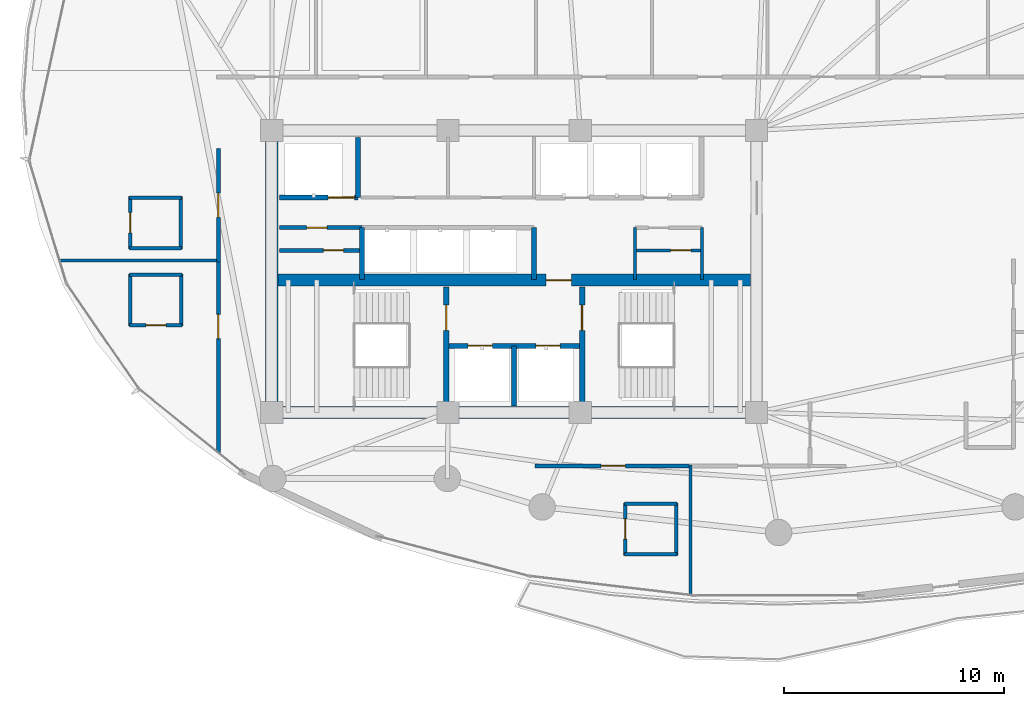
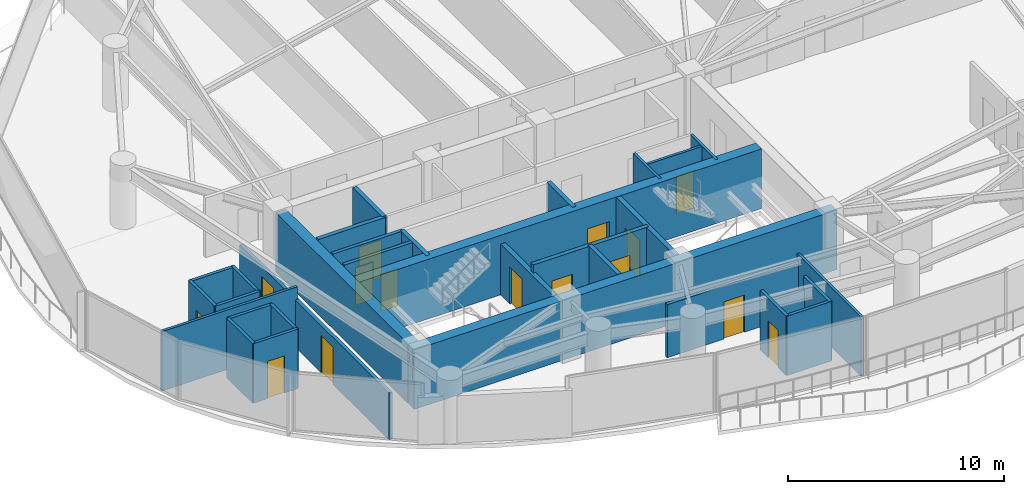
# One storey, part 26 of 34: 33 walls, 15 doors, 15 openings.
"""IFC4 building model written with IfcOpenShell, lengths in metres."""

from ifc_helpers import new_model, si_unit, direction, frame, frame_2d, origin, place, context, subcontext, project, spatial, rectangle, extrude, material, layer, layer_set, type_object, element, fill, save


model = new_model("IFC4")

# Units and contexts
model_context = context("Model", 3, precision=1e-05, world=origin(), true_north=direction((0.0, 1.0)))
body_context = subcontext(model_context, "Body", "Model", "MODEL_VIEW")
ifc_project = project(units=[si_unit("LENGTHUNIT", "METRE"), si_unit("AREAUNIT", "SQUARE_METRE"), si_unit("VOLUMEUNIT", "CUBIC_METRE"), si_unit("PLANEANGLEUNIT", "RADIAN"), si_unit("MASSUNIT", "GRAM", prefix="KILO")], contexts=[model_context])

# Site, building, storey
site_placement = place(None, origin())
site = spatial("IfcSite", under=ifc_project, at=site_placement, CompositionType="ELEMENT")
building_placement = place(site_placement, origin())
building = spatial("IfcBuilding", under=site, at=building_placement, Name="Kazevale Care Tower and Concert Hall", CompositionType="ELEMENT")
storey_placement = place(building_placement, frame((0.0, 0.0, 156.60009765625)))
storey = spatial("IfcBuildingStorey", under=building, at=storey_placement, Name="L41", CompositionType="ELEMENT", Elevation=156.60009765625)

# Walls
ifc_material_1 = material(Name="Acoustic Gypsum on Steel Stud", Category="steel")
ifc_layer_1 = layer(ifc_material_1, 0.139892578125)
ifc_layer_set_1 = layer_set([ifc_layer_1], Name="Acoustic Gypsum on Steel Stud")
wall_type_1 = type_object("IfcWallType", Name="Acoustic Care & Suite Partition 140", PredefinedType="PARTITIONING", material=ifc_layer_set_1)
for number, where, z_axis, x_axis, name in (
    (1, (38.47998046875, 29.6201171875, 0.0), (0.0, 0.0, 1.0), (0.0, 1.0, 0.0), "wall:L41:kc_ew"),
    (2, (41.52001953125, 29.6201171875, 0.0), (0.0, 0.0, 1.0), (0.0, 1.0, 0.0), "wall:L41:kc_ee"),
):
    element("IfcWall", number, at=place(storey_placement, frame(where, z_axis=z_axis, x_axis=x_axis)), inside=storey, type_object=wall_type_1, Name=name, PredefinedType="PARTITIONING", context=body_context, shape_type="SweptSolid", body=[
        extrude(rectangle(XDim=2.35986328125, YDim=0.139892578125, at=frame_2d((1.179931640625, 0.0))), origin(), (0.0, 0.0, 1.0), 3.35986328125),
    ])

# Wall, opening, door
wall_1_placement = place(storey_placement, frame((38.47998046875, 30.949951171875, 0.0), z_axis=(0.0, 0.0, 1.0), x_axis=(1.0, 0.0, 0.0)))
wall_1 = element("IfcWall", 3, at=wall_1_placement, inside=storey, type_object=wall_type_1, Name="wall:L41:kc_em", PredefinedType="PARTITIONING", context=body_context, shape_type="SweptSolid", body=[
    extrude(rectangle(XDim=3.0400390625, YDim=0.139892578125, at=frame_2d((1.52001953125, 0.0))), origin(), (0.0, 0.0, 1.0), 3.35986328125),
])
opening_1_placement = place(wall_1_placement, frame((1.616943359375, 0.0, 0.0)))
opening_1 = element("IfcOpeningElement", 4, at=opening_1_placement, cuts=wall_1, Name="Opening ID-900", PredefinedType="OPENING", context=body_context, shape_type="SweptSolid", body=[
    extrude(rectangle(XDim=0.919921875, YDim=2.10009765625, at=frame_2d((0.4599609375, 1.050048828125))), frame((0.0, 0.079833984375, 0.0), z_axis=(0.0, -1.0, 0.0), x_axis=(1.0, 0.0, 0.0)), (0.0, 0.0, 1.0), 0.159912109375),
])
ifc_material_2 = material(Name="Oak Timber Fire Leaf", Category="wood")
door_type_1 = type_object("IfcDoorType", Name="Bathroom & Service Door 920x2100", OperationType="NOTDEFINED", PredefinedType="DOOR", material=ifc_material_2)
door_1_placement = place(opening_1_placement, origin())
door_1 = element("IfcDoor", 5, at=door_1_placement, inside=storey, type_object=door_type_1, Name="door:L41:d_kceb", OperationType="SINGLE_SWING_RIGHT", OverallHeight=2.10009765625, OverallWidth=0.919921875, PredefinedType="DOOR", context=body_context, shape_type="SweptSolid", body=[
    extrude(rectangle(XDim=0.919921875, YDim=2.10009765625, at=frame_2d((0.4599609375, 1.050048828125))), frame((0.0, 0.02490234375, 0.0), z_axis=(0.0, -1.0, 0.0), x_axis=(1.0, 0.0, 0.0)), (0.0, 0.0, 1.0), 0.050048828125),
])
fill(opening_1, door_1)

# Walls
wall_2_placement = place(storey_placement, frame((41.0, 21.205078125, 0.0), z_axis=(0.0, 0.0, 1.0), x_axis=(0.0, -1.0, 0.0)))
element("IfcWall", 6, at=wall_2_placement, inside=storey, type_object=wall_type_1, Name="wall:L41:auto_029", PredefinedType="PARTITIONING", context=body_context, shape_type="SweptSolid", body=[
    extrude(rectangle(XDim=5.88720703125, YDim=0.139892578125, at=frame_2d((2.943603515625, 0.0))), origin(), (0.0, 0.0, 1.0), 3.35986328125),
])
wall_3_placement = place(storey_placement, frame((12.380859375, 30.5, 0.0), z_axis=(0.0, 0.0, 1.0), x_axis=(1.0, 0.0, 0.0)))
element("IfcWall", 7, at=wall_3_placement, inside=storey, type_object=wall_type_1, Name="wall:L41:auto_030", PredefinedType="PARTITIONING", context=body_context, shape_type="SweptSolid", body=[
    extrude(rectangle(XDim=7.22412109375, YDim=0.139892578125, at=frame_2d((3.612060546875, 0.0))), origin(), (0.0, 0.0, 1.0), 3.35986328125),
])
ifc_material_3 = material(Name="Concrete C60", Category="concrete")
ifc_layer_2 = layer(ifc_material_3, 0.550048828125)
ifc_layer_set_2 = layer_set([ifc_layer_2], Name="Concrete C60")
wall_type_2 = type_object("IfcWallType", Name="Core Shear Wall 550 C60", PredefinedType="SHEAR", material=ifc_layer_set_2)
wall_4_placement = place(storey_placement, frame((21.72509765625, 23.60009765625, 0.0), z_axis=(0.0, 0.0, 1.0), x_axis=(1.0, 0.0, 0.0)))
element("IfcWall", 8, at=wall_4_placement, inside=storey, type_object=wall_type_2, Name="wall:L41:core:S", PredefinedType="SHEAR", context=body_context, shape_type="SweptSolid", body=[
    extrude(rectangle(XDim=22.5498046875, YDim=0.550048828125, at=frame_2d((11.27490234375, 0.0))), origin(), (0.0, 0.0, 1.0), 3.35986328125),
])
wall_5_placement = place(storey_placement, frame((22.0, 23.875, 0.0), z_axis=(0.0, 0.0, 1.0), x_axis=(0.0, 1.0, 0.0)))
element("IfcWall", 9, at=wall_5_placement, inside=storey, type_object=wall_type_2, Name="wall:L41:core:W", PredefinedType="SHEAR", context=body_context, shape_type="SweptSolid", body=[
    extrude(rectangle(XDim=12.25, YDim=0.550048828125, at=frame_2d((6.125, 0.0))), origin(), (0.0, 0.0, 1.0), 3.35986328125),
])

# Wall, opening, door
wall_6_placement = place(storey_placement, frame((22.27490234375, 29.60009765625, 0.0), z_axis=(0.0, 0.0, 1.0), x_axis=(1.0, 0.0, 0.0)))
wall_6 = element("IfcWall", 10, at=wall_6_placement, inside=storey, type_object=wall_type_2, Name="wall:L41:core:M", PredefinedType="SHEAR", context=body_context, shape_type="SweptSolid", body=[
    extrude(rectangle(XDim=21.4501953125, YDim=0.550048828125, at=frame_2d((10.72509765625, 0.0))), origin(), (0.0, 0.0, 1.0), 3.35986328125),
])
opening_2_placement = place(wall_6_placement, frame((12.175048828125, 0.0, 0.0)))
opening_2 = element("IfcOpeningElement", 11, at=opening_2_placement, cuts=wall_6, Name="Opening FD-90", PredefinedType="OPENING", context=body_context, shape_type="SweptSolid", body=[
    extrude(rectangle(XDim=1.14990234375, YDim=2.10009765625, at=frame_2d((0.574951171875, 1.050048828125))), frame((0.0, 0.284912109375, 0.0), z_axis=(0.0, -1.0, 0.0), x_axis=(1.0, 0.0, 0.0)), (0.0, 0.0, 1.0), 0.570068359375),
])
ifc_material_4 = material(Name="Steel ASTM A572 Gr 50", Category="steel")
door_type_2 = type_object("IfcDoorType", Name="Pressurized Stair & Lobby Fire Door 1150x2100", OperationType="NOTDEFINED", PredefinedType="DOOR", material=ifc_material_4)
door_2_placement = place(opening_2_placement, origin())
door_2 = element("IfcDoor", 12, at=door_2_placement, inside=storey, type_object=door_type_2, Name="door:L41:ff_to_pax", OperationType="SINGLE_SWING_LEFT", OverallHeight=2.10009765625, OverallWidth=1.14990234375, PredefinedType="DOOR", context=body_context, shape_type="SweptSolid", body=[
    extrude(rectangle(XDim=1.14990234375, YDim=2.10009765625, at=frame_2d((0.574951171875, 1.050048828125))), frame((0.0, 0.02490234375, 0.0), z_axis=(0.0, -1.0, 0.0), x_axis=(1.0, 0.0, 0.0)), (0.0, 0.0, 1.0), 0.050048828125),
])
fill(opening_2, door_2)

# Wall, openings, doors
ifc_material_5 = material(Name="Concrete C40", Category="concrete")
ifc_layer_3 = layer(ifc_material_5, 0.219970703125)
ifc_layer_set_3 = layer_set([ifc_layer_3], Name="Concrete C40")
wall_type_3 = type_object("IfcWallType", Name="Elevator Hoistway Shaft Wall 220", PredefinedType="SOLIDWALL", material=ifc_layer_set_3)
wall_7_placement = place(storey_placement, frame((29.919921875, 26.6201171875, 0.0), z_axis=(0.0, 0.0, 1.0), x_axis=(1.0, 0.0, 0.0)))
wall_7 = element("IfcWall", 13, at=wall_7_placement, inside=storey, type_object=wall_type_3, Name="wall:L41:c_ffl_n", PredefinedType="SOLIDWALL", context=body_context, shape_type="SweptSolid", body=[
    extrude(rectangle(XDim=6.16015625, YDim=0.219970703125, at=frame_2d((3.080078125, 0.0))), origin(), (0.0, 0.0, 1.0), 3.35986328125),
])
opening_3_placement = place(wall_7_placement, frame((0.989990234375, 0.0, 0.0)))
opening_3 = element("IfcOpeningElement", 14, at=opening_3_placement, cuts=wall_7, Name="Opening LD-FF", PredefinedType="OPENING", context=body_context, shape_type="SweptSolid", body=[
    extrude(rectangle(XDim=1.10009765625, YDim=2.10009765625, at=frame_2d((0.550048828125, 1.050048828125))), frame((0.0, 0.119873046875, 0.0), z_axis=(0.0, -1.0, 0.0), x_axis=(1.0, 0.0, 0.0)), (0.0, 0.0, 1.0), 0.239990234375),
])
opening_4_placement = place(wall_7_placement, frame((4.070068359375, 0.0, 0.0)))
opening_4 = element("IfcOpeningElement", 15, at=opening_4_placement, cuts=wall_7, Name="Opening LD-FF", PredefinedType="OPENING", context=body_context, shape_type="SweptSolid", body=[
    extrude(rectangle(XDim=1.10009765625, YDim=2.10009765625, at=frame_2d((0.550048828125, 1.050048828125))), frame((0.0, 0.119873046875, 0.0), z_axis=(0.0, -1.0, 0.0), x_axis=(1.0, 0.0, 0.0)), (0.0, 0.0, 1.0), 0.239990234375),
])
ifc_material_6 = material(Name="Stainless Steel 316", Category="steel")
door_type_3 = type_object("IfcDoorType", Name="Emergency Lift Sliding Landing Door 1100x2100", OperationType="NOTDEFINED", PredefinedType="DOOR", material=ifc_material_6)
door_3_placement = place(opening_3_placement, origin())
door_3 = element("IfcDoor", 16, at=door_3_placement, inside=storey, type_object=door_type_3, Name="door:L41:ld_ffl1", OperationType="SLIDING_TO_LEFT", OverallHeight=2.10009765625, OverallWidth=1.10009765625, PredefinedType="DOOR", context=body_context, shape_type="SweptSolid", body=[
    extrude(rectangle(XDim=1.10009765625, YDim=2.10009765625, at=frame_2d((0.550048828125, 1.050048828125))), frame((0.0, 0.02490234375, 0.0), z_axis=(0.0, -1.0, 0.0), x_axis=(1.0, 0.0, 0.0)), (0.0, 0.0, 1.0), 0.050048828125),
])
fill(opening_3, door_3)
door_4_placement = place(opening_4_placement, origin())
door_4 = element("IfcDoor", 17, at=door_4_placement, inside=storey, type_object=door_type_3, Name="door:L41:ld_ffl2", OperationType="SLIDING_TO_RIGHT", OverallHeight=2.10009765625, OverallWidth=1.10009765625, PredefinedType="DOOR", context=body_context, shape_type="SweptSolid", body=[
    extrude(rectangle(XDim=1.10009765625, YDim=2.10009765625, at=frame_2d((0.550048828125, 1.050048828125))), frame((0.0, 0.02490234375, 0.0), z_axis=(0.0, -1.0, 0.0), x_axis=(1.0, 0.0, 0.0)), (0.0, 0.0, 1.0), 0.050048828125),
])
fill(opening_4, door_4)

# Walls
wall_8_placement = place(storey_placement, frame((33.0, 23.89990234375, 0.0), z_axis=(0.0, 0.0, 1.0), x_axis=(0.0, 1.0, 0.0)))
element("IfcWall", 18, at=wall_8_placement, inside=storey, type_object=wall_type_3, Name="wall:L41:c_ffl_m", PredefinedType="SOLIDWALL", context=body_context, shape_type="SweptSolid", body=[
    extrude(rectangle(XDim=2.72021484375, YDim=0.219970703125, at=frame_2d((1.360107421875, 0.0))), origin(), (0.0, 0.0, 1.0), 3.35986328125),
])
wall_9_placement = place(storey_placement, frame((25.919921875, 33.35009765625, 0.0), z_axis=(0.0, 0.0, 1.0), x_axis=(0.0, 1.0, 0.0)))
element("IfcWall", 19, at=wall_9_placement, inside=storey, type_object=wall_type_3, Name="wall:L41:c_svl_e", PredefinedType="SOLIDWALL", context=body_context, shape_type="SweptSolid", body=[
    extrude(rectangle(XDim=2.72998046875, YDim=0.219970703125, at=frame_2d((1.364990234375, 0.0))), origin(), (0.0, 0.0, 1.0), 3.35986328125),
])

# Wall, opening, door
wall_10_placement = place(storey_placement, frame((22.35009765625, 33.35009765625, 0.0), z_axis=(0.0, 0.0, 1.0), x_axis=(1.0, 0.0, 0.0)))
wall_10 = element("IfcWall", 20, at=wall_10_placement, inside=storey, type_object=wall_type_3, Name="wall:L41:c_svl_s", PredefinedType="SOLIDWALL", context=body_context, shape_type="SweptSolid", body=[
    extrude(rectangle(XDim=3.56982421875, YDim=0.219970703125, at=frame_2d((1.784912109375, 0.0))), origin(), (0.0, 0.0, 1.0), 3.35986328125),
])
opening_5_placement = place(wall_10_placement, frame((2.212890625, 0.0, 0.0)))
opening_5 = element("IfcOpeningElement", 21, at=opening_5_placement, cuts=wall_10, Name="Opening LD-SV", PredefinedType="OPENING", context=body_context, shape_type="SweptSolid", body=[
    extrude(rectangle(XDim=1.199951171875, YDim=2.10009765625, at=frame_2d((0.60009765625, 1.050048828125))), frame((0.0, 0.119873046875, 0.0), z_axis=(0.0, -1.0, 0.0), x_axis=(1.0, 0.0, 0.0)), (0.0, 0.0, 1.0), 0.239990234375),
])
door_type_4 = type_object("IfcDoorType", Name="Service Lift Sliding Landing Door 1200x2100", OperationType="NOTDEFINED", PredefinedType="DOOR", material=ifc_material_6)
door_5_placement = place(opening_5_placement, origin())
door_5 = element("IfcDoor", 22, at=door_5_placement, inside=storey, type_object=door_type_4, Name="door:L41:ld_svl1", OperationType="SLIDING_TO_LEFT", OverallHeight=2.10009765625, OverallWidth=1.199951171875, PredefinedType="DOOR", context=body_context, shape_type="SweptSolid", body=[
    extrude(rectangle(XDim=1.199951171875, YDim=2.10009765625, at=frame_2d((0.60009765625, 1.050048828125))), frame((0.0, 0.02490234375, 0.0), z_axis=(0.0, -1.0, 0.0), x_axis=(1.0, 0.0, 0.0)), (0.0, 0.0, 1.0), 0.050048828125),
])
fill(opening_5, door_5)

# Walls
for number, where, z_axis, x_axis, name in (
    (23, (26.10009765625, 29.6201171875, 0.0), (0.0, 0.0, 1.0), (0.0, 1.0, 0.0), "wall:L41:c_ph_w"),
    (24, (33.89990234375, 29.6201171875, 0.0), (0.0, 0.0, 1.0), (0.0, 1.0, 0.0), "wall:L41:c_ph_e"),
):
    element("IfcWall", number, at=place(storey_placement, frame(where, z_axis=z_axis, x_axis=x_axis)), inside=storey, type_object=wall_type_3, Name=name, PredefinedType="SOLIDWALL", context=body_context, shape_type="SweptSolid", body=[
        extrude(rectangle(XDim=2.35986328125, YDim=0.219970703125, at=frame_2d((1.179931640625, 0.0))), origin(), (0.0, 0.0, 1.0), 3.35986328125),
    ])

# Wall, opening, door
ifc_material_7 = material(Name="Concrete C40 and Acoustic Gypsum", Category="concrete")
ifc_layer_4 = layer(ifc_material_7, 0.179931640625)
ifc_layer_set_4 = layer_set([ifc_layer_4], Name="Concrete C40 and Acoustic Gypsum")
wall_type_4 = type_object("IfcWallType", Name="Fire-Rated Corridor & Party Wall 180", PredefinedType="PARTITIONING", material=ifc_layer_set_4)
wall_11_placement = place(storey_placement, frame((22.35009765625, 30.949951171875, 0.0), z_axis=(0.0, 0.0, 1.0), x_axis=(1.0, 0.0, 0.0)))
wall_11 = element("IfcWall", 25, at=wall_11_placement, inside=storey, type_object=wall_type_4, Name="wall:L41:kc_wm", PredefinedType="PARTITIONING", context=body_context, shape_type="SweptSolid", body=[
    extrude(rectangle(XDim=3.75, YDim=0.179931640625, at=frame_2d((1.875, 0.0))), origin(), (0.0, 0.0, 1.0), 3.35986328125),
])
opening_6_placement = place(wall_11_placement, frame((1.988037109375, 0.0, 0.0)))
opening_6 = element("IfcOpeningElement", 26, at=opening_6_placement, cuts=wall_11, Name="Opening ID-900", PredefinedType="OPENING", context=body_context, shape_type="SweptSolid", body=[
    extrude(rectangle(XDim=0.919921875, YDim=2.10009765625, at=frame_2d((0.4599609375, 1.050048828125))), frame((0.0, 0.099853515625, 0.0), z_axis=(0.0, -1.0, 0.0), x_axis=(1.0, 0.0, 0.0)), (0.0, 0.0, 1.0), 0.199951171875),
])
door_6_placement = place(opening_6_placement, origin())
door_6 = element("IfcDoor", 27, at=door_6_placement, inside=storey, type_object=door_type_1, Name="door:L41:d_kcwb", OperationType="SINGLE_SWING_RIGHT", OverallHeight=2.10009765625, OverallWidth=0.919921875, PredefinedType="DOOR", context=body_context, shape_type="SweptSolid", body=[
    extrude(rectangle(XDim=0.919921875, YDim=2.10009765625, at=frame_2d((0.4599609375, 1.050048828125))), frame((0.0, 0.02490234375, 0.0), z_axis=(0.0, -1.0, 0.0), x_axis=(1.0, 0.0, 0.0)), (0.0, 0.0, 1.0), 0.050048828125),
])
fill(opening_6, door_6)

wall_12_placement = place(storey_placement, frame((22.35009765625, 31.97998046875, 0.0), z_axis=(0.0, 0.0, 1.0), x_axis=(1.0, 0.0, 0.0)))
wall_12 = element("IfcWall", 28, at=wall_12_placement, inside=storey, type_object=wall_type_4, Name="wall:L41:kc_wn", PredefinedType="PARTITIONING", context=body_context, shape_type="SweptSolid", body=[
    extrude(rectangle(XDim=3.75, YDim=0.179931640625, at=frame_2d((1.875, 0.0))), origin(), (0.0, 0.0, 1.0), 3.35986328125),
])
opening_7_placement = place(wall_12_placement, frame((1.238037109375, 0.0, 0.0)))
opening_7 = element("IfcOpeningElement", 29, at=opening_7_placement, cuts=wall_12, Name="Opening ID-900", PredefinedType="OPENING", context=body_context, shape_type="SweptSolid", body=[
    extrude(rectangle(XDim=0.919921875, YDim=2.10009765625, at=frame_2d((0.4599609375, 1.050048828125))), frame((0.0, 0.099853515625, 0.0), z_axis=(0.0, -1.0, 0.0), x_axis=(1.0, 0.0, 0.0)), (0.0, 0.0, 1.0), 0.199951171875),
])
door_7_placement = place(opening_7_placement, origin())
door_7 = element("IfcDoor", 30, at=door_7_placement, inside=storey, type_object=door_type_1, Name="door:L41:d_kcwt", OperationType="SINGLE_SWING_LEFT", OverallHeight=2.10009765625, OverallWidth=0.919921875, PredefinedType="DOOR", context=body_context, shape_type="SweptSolid", body=[
    extrude(rectangle(XDim=0.919921875, YDim=2.10009765625, at=frame_2d((0.4599609375, 1.050048828125))), frame((0.0, 0.02490234375, 0.0), z_axis=(0.0, -1.0, 0.0), x_axis=(1.0, 0.0, 0.0)), (0.0, 0.0, 1.0), 0.050048828125),
])
fill(opening_7, door_7)

wall_13_placement = place(storey_placement, frame((41.06494140625, 21.175048828125, 0.0), z_axis=(0.0, 0.0, 1.0), x_axis=(-1.0, 0.0, 0.0)))
wall_13 = element("IfcWall", 31, at=wall_13_placement, inside=storey, type_object=wall_type_4, Name="wall:L41:auto_015", PredefinedType="PARTITIONING", context=body_context, shape_type="SweptSolid", body=[
    extrude(rectangle(XDim=7.1298828125, YDim=0.179931640625, at=frame_2d((3.56494140625, 0.0))), origin(), (0.0, 0.0, 1.0), 2.995849609375),
])
opening_8_placement = place(wall_13_placement, frame((3.014892578125, 0.0, 0.0)))
opening_8 = element("IfcOpeningElement", 32, at=opening_8_placement, cuts=wall_13, Name="Opening ID-1100", PredefinedType="OPENING", context=body_context, shape_type="SweptSolid", body=[
    extrude(rectangle(XDim=1.10009765625, YDim=2.10009765625, at=frame_2d((0.550048828125, 1.050048828125))), frame((0.0, 0.099853515625, 0.0), z_axis=(0.0, -1.0, 0.0), x_axis=(1.0, 0.0, 0.0)), (0.0, 0.0, 1.0), 0.199951171875),
])
door_type_5 = type_object("IfcDoorType", Name="Care Bedroom Accessible Door 1100x2100", OperationType="NOTDEFINED", PredefinedType="DOOR", material=ifc_material_2)
door_8_placement = place(opening_8_placement, origin())
door_8 = element("IfcDoor", 33, at=door_8_placement, inside=storey, type_object=door_type_5, Name="door:L41:ad_015", OperationType="SINGLE_SWING_LEFT", OverallHeight=2.10009765625, OverallWidth=1.10009765625, PredefinedType="DOOR", context=body_context, shape_type="SweptSolid", body=[
    extrude(rectangle(XDim=1.10009765625, YDim=2.10009765625, at=frame_2d((0.550048828125, 1.050048828125))), frame((0.0, 0.02490234375, 0.0), z_axis=(0.0, -1.0, 0.0), x_axis=(1.0, 0.0, 0.0)), (0.0, 0.0, 1.0), 0.050048828125),
])
fill(opening_8, door_8)

wall_14_placement = place(storey_placement, frame((19.574951171875, 21.774658203125, 0.0), z_axis=(0.0, 0.0, 1.0), x_axis=(0.0, 1.0, 0.0)))
wall_14 = element("IfcWall", 34, at=wall_14_placement, inside=storey, type_object=wall_type_4, Name="wall:L41:auto_017", PredefinedType="PARTITIONING", context=body_context, shape_type="SweptSolid", body=[
    extrude(rectangle(XDim=8.790283203125, YDim=0.179931640625, at=frame_2d((4.39501953125, 0.0))), origin(), (0.0, 0.0, 1.0), 2.656982421875),
])
opening_9_placement = place(wall_14_placement, frame((5.175048828125, 0.0, 0.0)))
opening_9 = element("IfcOpeningElement", 35, at=opening_9_placement, cuts=wall_14, Name="Opening ID-1100", PredefinedType="OPENING", context=body_context, shape_type="SweptSolid", body=[
    extrude(rectangle(XDim=1.10009765625, YDim=2.10009765625, at=frame_2d((0.550048828125, 1.050048828125))), frame((0.0, 0.099853515625, 0.0), z_axis=(0.0, -1.0, 0.0), x_axis=(1.0, 0.0, 0.0)), (0.0, 0.0, 1.0), 0.199951171875),
])
door_9_placement = place(opening_9_placement, origin())
door_9 = element("IfcDoor", 36, at=door_9_placement, inside=storey, type_object=door_type_5, Name="door:L41:ad_017", OperationType="SINGLE_SWING_LEFT", OverallHeight=2.10009765625, OverallWidth=1.10009765625, PredefinedType="DOOR", context=body_context, shape_type="SweptSolid", body=[
    extrude(rectangle(XDim=1.10009765625, YDim=2.10009765625, at=frame_2d((0.550048828125, 1.050048828125))), frame((0.0, 0.02490234375, 0.0), z_axis=(0.0, -1.0, 0.0), x_axis=(1.0, 0.0, 0.0)), (0.0, 0.0, 1.0), 0.050048828125),
])
fill(opening_9, door_9)

wall_15_placement = place(storey_placement, frame((19.574951171875, 30.43505859375, 0.0), z_axis=(0.0, 0.0, 1.0), x_axis=(0.0, 1.0, 0.0)))
wall_15 = element("IfcWall", 37, at=wall_15_placement, inside=storey, type_object=wall_type_4, Name="wall:L41:auto_018", PredefinedType="PARTITIONING", context=body_context, shape_type="SweptSolid", body=[
    extrude(rectangle(XDim=5.1298828125, YDim=0.179931640625, at=frame_2d((2.56494140625, 0.0))), origin(), (0.0, 0.0, 1.0), 2.656982421875),
])
opening_10_placement = place(wall_15_placement, frame((2.014892578125, 0.0, 0.0)))
opening_10 = element("IfcOpeningElement", 38, at=opening_10_placement, cuts=wall_15, Name="Opening ID-1100", PredefinedType="OPENING", context=body_context, shape_type="SweptSolid", body=[
    extrude(rectangle(XDim=1.10009765625, YDim=2.10009765625, at=frame_2d((0.550048828125, 1.050048828125))), frame((0.0, 0.099853515625, 0.0), z_axis=(0.0, -1.0, 0.0), x_axis=(1.0, 0.0, 0.0)), (0.0, 0.0, 1.0), 0.199951171875),
])
door_10_placement = place(opening_10_placement, origin())
door_10 = element("IfcDoor", 39, at=door_10_placement, inside=storey, type_object=door_type_5, Name="door:L41:ad_018", OperationType="SINGLE_SWING_LEFT", OverallHeight=2.10009765625, OverallWidth=1.10009765625, PredefinedType="DOOR", context=body_context, shape_type="SweptSolid", body=[
    extrude(rectangle(XDim=1.10009765625, YDim=2.10009765625, at=frame_2d((0.550048828125, 1.050048828125))), frame((0.0, 0.02490234375, 0.0), z_axis=(0.0, -1.0, 0.0), x_axis=(1.0, 0.0, 0.0)), (0.0, 0.0, 1.0), 0.050048828125),
])
fill(opening_10, door_10)

# Walls
ifc_layer_5 = layer(ifc_material_1, 0.159912109375)
ifc_layer_set_5 = layer_set([ifc_layer_5], Name="Acoustic Gypsum on Steel Stud")
wall_type_5 = type_object("IfcWallType", Name="Moisture-Resistant Bathroom Plumbing Wall 160", PredefinedType="PLUMBINGWALL", material=ifc_layer_set_5)
wall_16_placement = place(storey_placement, frame((38.010009765625, 17.153076171875, 0.0), z_axis=(0.0, 0.0, 1.0), x_axis=(1.0, 0.0, 0.0)))
element("IfcWall", 40, at=wall_16_placement, inside=storey, type_object=wall_type_5, Name="wall:L41:sb2a_ens_ws", PredefinedType="PLUMBINGWALL", context=body_context, shape_type="SweptSolid", body=[
    extrude(rectangle(XDim=2.3798828125, YDim=0.159912109375, at=frame_2d((1.18994140625, 0.0))), origin(), (0.0, 0.0, 1.0), 3.35986328125),
])
wall_17_placement = place(storey_placement, frame((38.010009765625, 19.452880859375, 0.0), z_axis=(0.0, 0.0, 1.0), x_axis=(1.0, 0.0, 0.0)))
element("IfcWall", 41, at=wall_17_placement, inside=storey, type_object=wall_type_5, Name="wall:L41:sb2a_ens_wn", PredefinedType="PLUMBINGWALL", context=body_context, shape_type="SweptSolid", body=[
    extrude(rectangle(XDim=2.3798828125, YDim=0.159912109375, at=frame_2d((1.18994140625, 0.0))), origin(), (0.0, 0.0, 1.0), 2.656982421875),
])

# Wall, opening, door
wall_18_placement = place(storey_placement, frame((38.050048828125, 17.113037109375, 0.0), z_axis=(0.0, 0.0, 1.0), x_axis=(0.0, 1.0, 0.0)))
wall_18 = element("IfcWall", 42, at=wall_18_placement, inside=storey, type_object=wall_type_5, Name="wall:L41:sb2a_ens_ww", PredefinedType="PLUMBINGWALL", context=body_context, shape_type="SweptSolid", body=[
    extrude(rectangle(XDim=2.3798828125, YDim=0.159912109375, at=frame_2d((1.18994140625, 0.0))), origin(), (0.0, 0.0, 1.0), 3.35986328125),
])
opening_11_placement = place(wall_18_placement, frame((0.739990234375, 0.0, 0.0)))
opening_11 = element("IfcOpeningElement", 43, at=opening_11_placement, cuts=wall_18, Name="Opening ID-900", PredefinedType="OPENING", context=body_context, shape_type="SweptSolid", body=[
    extrude(rectangle(XDim=0.919921875, YDim=2.10009765625, at=frame_2d((0.4599609375, 1.050048828125))), frame((0.0, 0.08984375, 0.0), z_axis=(0.0, -1.0, 0.0), x_axis=(1.0, 0.0, 0.0)), (0.0, 0.0, 1.0), 0.179931640625),
])
door_11_placement = place(opening_11_placement, origin())
door_11 = element("IfcDoor", 44, at=door_11_placement, inside=storey, type_object=door_type_1, Name="door:L41:sb2a_ens_d", OperationType="SINGLE_SWING_RIGHT", OverallHeight=2.10009765625, OverallWidth=0.919921875, PredefinedType="DOOR", context=body_context, shape_type="SweptSolid", body=[
    extrude(rectangle(XDim=0.919921875, YDim=2.10009765625, at=frame_2d((0.4599609375, 1.050048828125))), frame((0.0, 0.02490234375, 0.0), z_axis=(0.0, -1.0, 0.0), x_axis=(1.0, 0.0, 0.0)), (0.0, 0.0, 1.0), 0.050048828125),
])
fill(opening_11, door_11)

# Wall
wall_19_placement = place(storey_placement, frame((40.35009765625, 17.113037109375, 0.0), z_axis=(0.0, 0.0, 1.0), x_axis=(0.0, 1.0, 0.0)))
element("IfcWall", 45, at=wall_19_placement, inside=storey, type_object=wall_type_5, Name="wall:L41:sb2a_ens_we", PredefinedType="PLUMBINGWALL", context=body_context, shape_type="SweptSolid", body=[
    extrude(rectangle(XDim=2.3798828125, YDim=0.159912109375, at=frame_2d((1.18994140625, 0.0))), origin(), (0.0, 0.0, 1.0), 3.35986328125),
])

# Wall, opening, door
wall_20_placement = place(storey_placement, frame((15.544921875, 27.550048828125, 0.0), z_axis=(0.0, 0.0, 1.0), x_axis=(1.0, 0.0, 0.0)))
wall_20 = element("IfcWall", 46, at=wall_20_placement, inside=storey, type_object=wall_type_5, Name="wall:L41:wb2_ens_ws", PredefinedType="PLUMBINGWALL", context=body_context, shape_type="SweptSolid", body=[
    extrude(rectangle(XDim=2.380126953125, YDim=0.159912109375, at=frame_2d((1.18994140625, 0.0))), origin(), (0.0, 0.0, 1.0), 3.35986328125),
])
opening_12_placement = place(wall_20_placement, frame((0.739990234375, 0.0, 0.0)))
opening_12 = element("IfcOpeningElement", 47, at=opening_12_placement, cuts=wall_20, Name="Opening ID-900", PredefinedType="OPENING", context=body_context, shape_type="SweptSolid", body=[
    extrude(rectangle(XDim=0.919921875, YDim=2.10009765625, at=frame_2d((0.4599609375, 1.050048828125))), frame((0.0, 0.08984375, 0.0), z_axis=(0.0, -1.0, 0.0), x_axis=(1.0, 0.0, 0.0)), (0.0, 0.0, 1.0), 0.179931640625),
])
door_12_placement = place(opening_12_placement, origin())
door_12 = element("IfcDoor", 48, at=door_12_placement, inside=storey, type_object=door_type_1, Name="door:L41:wb2_ens_d", OperationType="SINGLE_SWING_RIGHT", OverallHeight=2.10009765625, OverallWidth=0.919921875, PredefinedType="DOOR", context=body_context, shape_type="SweptSolid", body=[
    extrude(rectangle(XDim=0.919921875, YDim=2.10009765625, at=frame_2d((0.4599609375, 1.050048828125))), frame((0.0, 0.02490234375, 0.0), z_axis=(0.0, -1.0, 0.0), x_axis=(1.0, 0.0, 0.0)), (0.0, 0.0, 1.0), 0.050048828125),
])
fill(opening_12, door_12)

# Walls
wall_21_placement = place(storey_placement, frame((15.544921875, 29.85009765625, 0.0), z_axis=(0.0, 0.0, 1.0), x_axis=(1.0, 0.0, 0.0)))
element("IfcWall", 49, at=wall_21_placement, inside=storey, type_object=wall_type_5, Name="wall:L41:wb2_ens_wn", PredefinedType="PLUMBINGWALL", context=body_context, shape_type="SweptSolid", body=[
    extrude(rectangle(XDim=2.380126953125, YDim=0.159912109375, at=frame_2d((1.18994140625, 0.0))), origin(), (0.0, 0.0, 1.0), 3.35986328125),
])
for number, where, z_axis, x_axis, name in (
    (50, (15.5849609375, 27.510009765625, 0.0), (0.0, 0.0, 1.0), (0.0, 1.0, 0.0), "wall:L41:wb2_ens_ww"),
    (51, (17.885009765625, 27.510009765625, 0.0), (0.0, 0.0, 1.0), (0.0, 1.0, 0.0), "wall:L41:wb2_ens_we"),
):
    element("IfcWall", number, at=place(storey_placement, frame(where, z_axis=z_axis, x_axis=x_axis)), inside=storey, type_object=wall_type_5, Name=name, PredefinedType="PLUMBINGWALL", context=body_context, shape_type="SweptSolid", body=[
        extrude(rectangle(XDim=2.3798828125, YDim=0.159912109375, at=frame_2d((1.18994140625, 0.0))), origin(), (0.0, 0.0, 1.0), 3.35986328125),
    ])
for number, where, z_axis, x_axis, name in (
    (52, (15.534912109375, 31.050048828125, 0.0), (0.0, 0.0, 1.0), (1.0, 0.0, 0.0), "wall:L41:wb3_ens_ws"),
    (53, (15.534912109375, 33.35009765625, 0.0), (0.0, 0.0, 1.0), (1.0, 0.0, 0.0), "wall:L41:wb3_ens_wn"),
):
    element("IfcWall", number, at=place(storey_placement, frame(where, z_axis=z_axis, x_axis=x_axis)), inside=storey, type_object=wall_type_5, Name=name, PredefinedType="PLUMBINGWALL", context=body_context, shape_type="SweptSolid", body=[
        extrude(rectangle(XDim=2.380126953125, YDim=0.159912109375, at=frame_2d((1.18994140625, 0.0))), origin(), (0.0, 0.0, 1.0), 3.35986328125),
    ])

# Wall, opening, door
wall_22_placement = place(storey_placement, frame((15.574951171875, 31.010009765625, 0.0), z_axis=(0.0, 0.0, 1.0), x_axis=(0.0, 1.0, 0.0)))
wall_22 = element("IfcWall", 54, at=wall_22_placement, inside=storey, type_object=wall_type_5, Name="wall:L41:wb3_ens_ww", PredefinedType="PLUMBINGWALL", context=body_context, shape_type="SweptSolid", body=[
    extrude(rectangle(XDim=2.3798828125, YDim=0.159912109375, at=frame_2d((1.18994140625, 0.0))), origin(), (0.0, 0.0, 1.0), 3.35986328125),
])
opening_13_placement = place(wall_22_placement, frame((0.739990234375, 0.0, 0.0)))
opening_13 = element("IfcOpeningElement", 55, at=opening_13_placement, cuts=wall_22, Name="Opening ID-900", PredefinedType="OPENING", context=body_context, shape_type="SweptSolid", body=[
    extrude(rectangle(XDim=0.919921875, YDim=2.10009765625, at=frame_2d((0.4599609375, 1.050048828125))), frame((0.0, 0.08984375, 0.0), z_axis=(0.0, -1.0, 0.0), x_axis=(1.0, 0.0, 0.0)), (0.0, 0.0, 1.0), 0.179931640625),
])
door_13_placement = place(opening_13_placement, origin())
door_13 = element("IfcDoor", 56, at=door_13_placement, inside=storey, type_object=door_type_1, Name="door:L41:wb3_ens_d", OperationType="SINGLE_SWING_LEFT", OverallHeight=2.10009765625, OverallWidth=0.919921875, PredefinedType="DOOR", context=body_context, shape_type="SweptSolid", body=[
    extrude(rectangle(XDim=0.919921875, YDim=2.10009765625, at=frame_2d((0.4599609375, 1.050048828125))), frame((0.0, 0.02490234375, 0.0), z_axis=(0.0, -1.0, 0.0), x_axis=(1.0, 0.0, 0.0)), (0.0, 0.0, 1.0), 0.050048828125),
])
fill(opening_13, door_13)

# Wall
wall_23_placement = place(storey_placement, frame((17.875, 31.010009765625, 0.0), z_axis=(0.0, 0.0, 1.0), x_axis=(0.0, 1.0, 0.0)))
element("IfcWall", 57, at=wall_23_placement, inside=storey, type_object=wall_type_5, Name="wall:L41:wb3_ens_we", PredefinedType="PLUMBINGWALL", context=body_context, shape_type="SweptSolid", body=[
    extrude(rectangle(XDim=2.3798828125, YDim=0.159912109375, at=frame_2d((1.18994140625, 0.0))), origin(), (0.0, 0.0, 1.0), 3.35986328125),
])

# Wall, opening, door
ifc_layer_6 = layer(ifc_material_5, 0.25)
ifc_layer_set_6 = layer_set([ifc_layer_6], Name="Concrete C40")
wall_type_6 = type_object("IfcWallType", Name="Pressurized Stair Shaft Wall 250", PredefinedType="SOLIDWALL", material=ifc_layer_set_6)
wall_24_placement = place(storey_placement, frame((29.919921875, 23.89990234375, 0.0), z_axis=(0.0, 0.0, 1.0), x_axis=(0.0, 1.0, 0.0)))
wall_24 = element("IfcWall", 58, at=wall_24_placement, inside=storey, type_object=wall_type_6, Name="wall:L41:c_st1_e", PredefinedType="SOLIDWALL", context=body_context, shape_type="SweptSolid", body=[
    extrude(rectangle(XDim=5.400146484375, YDim=0.25, at=frame_2d((2.7001953125, 0.0))), origin(), (0.0, 0.0, 1.0), 2.889892578125),
])
opening_14_placement = place(wall_24_placement, frame((3.4208984375, 0.0, 0.0)))
opening_14 = element("IfcOpeningElement", 59, at=opening_14_placement, cuts=wall_24, Name="Opening FD-90", PredefinedType="OPENING", context=body_context, shape_type="SweptSolid", body=[
    extrude(rectangle(XDim=1.14990234375, YDim=2.10009765625, at=frame_2d((0.574951171875, 1.050048828125))), frame((0.0, 0.135009765625, 0.0), z_axis=(0.0, -1.0, 0.0), x_axis=(1.0, 0.0, 0.0)), (0.0, 0.0, 1.0), 0.27001953125),
])
door_14_placement = place(opening_14_placement, origin())
door_14 = element("IfcDoor", 60, at=door_14_placement, inside=storey, type_object=door_type_2, Name="door:L41:st1", OperationType="SINGLE_SWING_RIGHT", OverallHeight=2.10009765625, OverallWidth=1.14990234375, PredefinedType="DOOR", context=body_context, shape_type="SweptSolid", body=[
    extrude(rectangle(XDim=1.14990234375, YDim=2.10009765625, at=frame_2d((0.574951171875, 1.050048828125))), frame((0.0, 0.02490234375, 0.0), z_axis=(0.0, -1.0, 0.0), x_axis=(1.0, 0.0, 0.0)), (0.0, 0.0, 1.0), 0.050048828125),
])
fill(opening_14, door_14)

wall_25_placement = place(storey_placement, frame((36.080078125, 23.89990234375, 0.0), z_axis=(0.0, 0.0, 1.0), x_axis=(0.0, 1.0, 0.0)))
wall_25 = element("IfcWall", 61, at=wall_25_placement, inside=storey, type_object=wall_type_6, Name="wall:L41:c_st2_w", PredefinedType="SOLIDWALL", context=body_context, shape_type="SweptSolid", body=[
    extrude(rectangle(XDim=5.400146484375, YDim=0.25, at=frame_2d((2.7001953125, 0.0))), origin(), (0.0, 0.0, 1.0), 3.35986328125),
])
opening_15_placement = place(wall_25_placement, frame((3.4208984375, 0.0, 0.0)))
opening_15 = element("IfcOpeningElement", 62, at=opening_15_placement, cuts=wall_25, Name="Opening FD-90", PredefinedType="OPENING", context=body_context, shape_type="SweptSolid", body=[
    extrude(rectangle(XDim=1.14990234375, YDim=2.10009765625, at=frame_2d((0.574951171875, 1.050048828125))), frame((0.0, 0.135009765625, 0.0), z_axis=(0.0, -1.0, 0.0), x_axis=(1.0, 0.0, 0.0)), (0.0, 0.0, 1.0), 0.27001953125),
])
door_15_placement = place(opening_15_placement, origin())
door_15 = element("IfcDoor", 63, at=door_15_placement, inside=storey, type_object=door_type_2, Name="door:L41:st2", OperationType="SINGLE_SWING_LEFT", OverallHeight=2.10009765625, OverallWidth=1.14990234375, PredefinedType="DOOR", context=body_context, shape_type="SweptSolid", body=[
    extrude(rectangle(XDim=1.14990234375, YDim=2.10009765625, at=frame_2d((0.574951171875, 1.050048828125))), frame((0.0, 0.02490234375, 0.0), z_axis=(0.0, -1.0, 0.0), x_axis=(1.0, 0.0, 0.0)), (0.0, 0.0, 1.0), 0.050048828125),
])
fill(opening_15, door_15)

save(model, "model.ifc")
